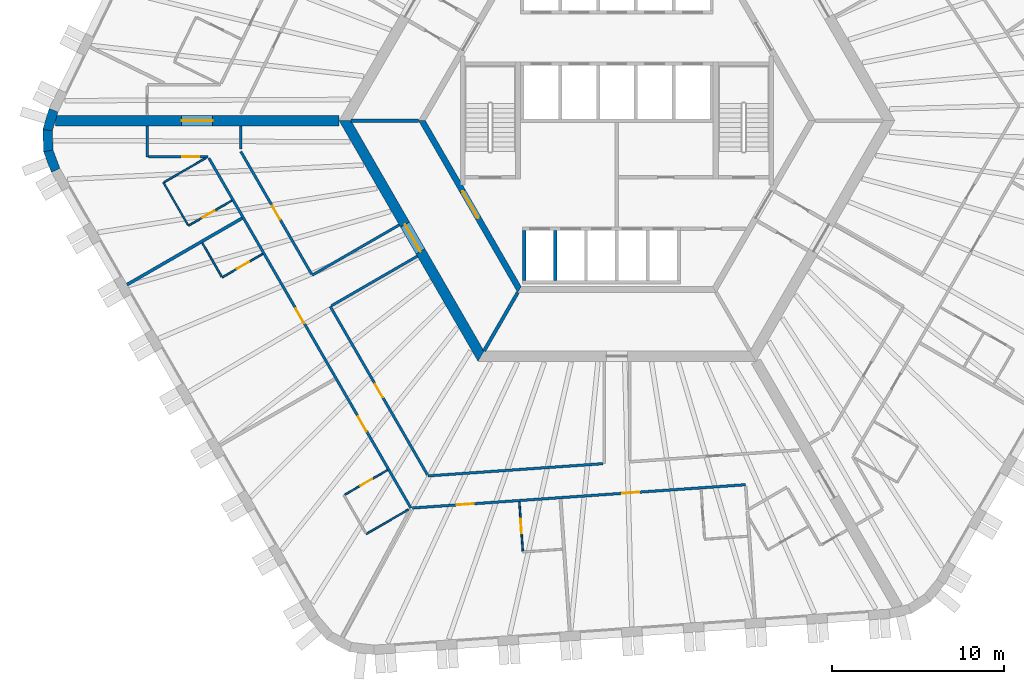
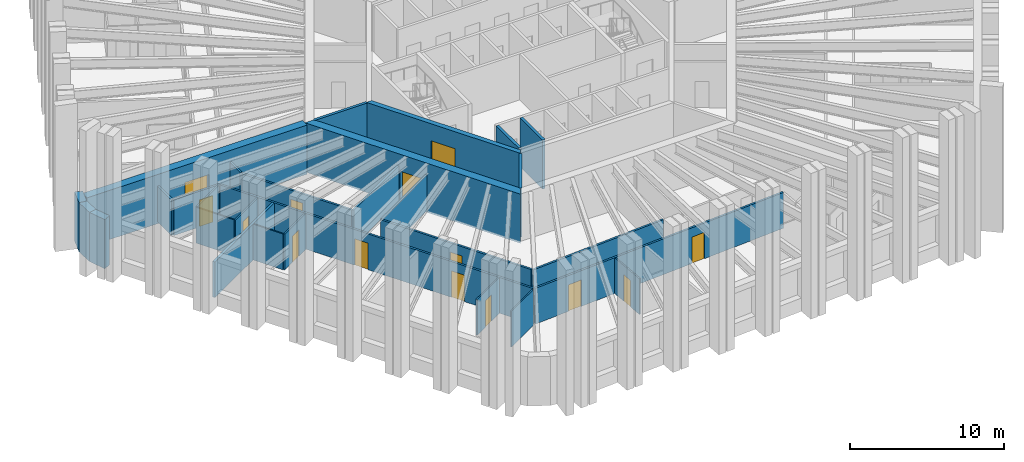
# One storey, part 3 of 13: 29 walls, 14 doors, 14 openings.
"""IFC4 building model written with IfcOpenShell, lengths in metres."""

import ifcopenshell
import ifcopenshell.guid

model = None  # the IFC model being written
_history = None  # IfcOwnerHistory: only IFC2X3 demands one
_inside = {}  # id of a spatial element -> (the spatial element, [elements in it])
_under = {}  # id of a project, library or spatial element -> (it, [spatial elements below it])
_declared = {}  # id of a project -> (the project, [libraries it declares])
_typed = {}  # id of a type object -> (the type object, [elements of that type])
_made_of = {}  # id of a material, layer set ... -> (it, [elements and type objects made of it])


def new_model(schema):
    """Start an empty IFC model of exactly this schema.

    Asked for "IFC4X3", IfcOpenShell would pick the latest addendum, in which some entities
    have other attributes; the version numbers below select the first issue.
    IFC2X3 requires an IfcOwnerHistory on every rooted entity: one is made here for all.
    """
    global model, _history
    if schema == "IFC4X3":
        model = ifcopenshell.file(schema_version=(4, 3, 0, 0))
    else:
        model = ifcopenshell.file(schema=schema)
    _inside.clear()
    _under.clear()
    _declared.clear()
    _typed.clear()
    _made_of.clear()
    _history = None
    if model.schema == "IFC2X3":
        org = make("IfcOrganization", Name="unknown")
        user = make(
            "IfcPersonAndOrganization",
            ThePerson=make("IfcPerson", FamilyName="unknown"),
            TheOrganization=org,
        )
        app = make(
            "IfcApplication",
            ApplicationDeveloper=org,
            Version="unknown",
            ApplicationFullName="unknown",
            ApplicationIdentifier="unknown",
        )
        _history = make(
            "IfcOwnerHistory",
            OwningUser=user,
            OwningApplication=app,
            ChangeAction="ADDED",
            CreationDate=0,
        )
    return model


def make(cls, **values):
    """One entity of the class cls with the attributes given. An attribute that is None is left unset."""
    return model.create_entity(
        cls, **{name: value for name, value in values.items() if value is not None}
    )


def rooted(cls, **values):
    """An entity with a GlobalId (a new one), such as an element, a storey or a relation."""
    return make(cls, GlobalId=ifcopenshell.guid.new(), OwnerHistory=_history, **values)


def si_unit(unit_type, name, prefix=None):
    """IfcSIUnit, for example si_unit("LENGTHUNIT", "METRE", prefix="MILLI")."""
    return make("IfcSIUnit", UnitType=unit_type, Prefix=prefix, Name=name)


def assignment(units):
    """IfcUnitAssignment: the units of a project."""
    return None if units is None else make("IfcUnitAssignment", Units=units)


def point(xyz):
    """IfcCartesianPoint."""
    return None if xyz is None else make("IfcCartesianPoint", Coordinates=xyz)


def direction(xyz):
    """IfcDirection."""
    return None if xyz is None else make("IfcDirection", DirectionRatios=xyz)


def frame(location, z_axis=None, x_axis=None):
    """IfcAxis2Placement3D, a coordinate frame: its origin and axes. An axis left out is left unset."""
    return make(
        "IfcAxis2Placement3D",
        Location=point(location),
        Axis=direction(z_axis),
        RefDirection=direction(x_axis),
    )


def frame_2d(location, x_axis=None):
    """IfcAxis2Placement2D, a coordinate frame in the plane: its origin and x axis."""
    return make(
        "IfcAxis2Placement2D", Location=point(location), RefDirection=direction(x_axis)
    )


def origin():
    """The frame at (0, 0, 0) with its axes left unset."""
    return frame((0.0, 0.0, 0.0))


def place(relative_to, where):
    """IfcLocalPlacement: puts the frame where relative to a parent placement (None: the world)."""
    return make(
        "IfcLocalPlacement", PlacementRelTo=relative_to, RelativePlacement=where
    )


def context(
    kind, dimensions, precision=None, world=None, true_north=None, identifier=None
):
    """IfcGeometricRepresentationContext, for example the 3D "Model" context."""
    return make(
        "IfcGeometricRepresentationContext",
        ContextIdentifier=identifier,
        ContextType=kind,
        CoordinateSpaceDimension=dimensions,
        Precision=precision,
        WorldCoordinateSystem=world,
        TrueNorth=true_north,
    )


def subcontext(parent, identifier, kind, view, scale=None):
    """IfcGeometricRepresentationSubContext, for example "Body" below "Model"."""
    return make(
        "IfcGeometricRepresentationSubContext",
        ContextIdentifier=identifier,
        ContextType=kind,
        ParentContext=parent,
        TargetScale=scale,
        TargetView=view,
    )


def project(units=None, contexts=None):
    """IfcProject with its units and contexts."""
    return rooted(
        "IfcProject",
        Name="project",
        RepresentationContexts=contexts,
        UnitsInContext=assignment(units),
    )


def spatial(cls, under=None, at=None, **own):
    """A site, building, storey or space (cls), placed at a placement, below another one or the project."""
    s = rooted(cls, ObjectPlacement=at, **own)
    if under is not None:
        _under.setdefault(under.id(), (under, []))[1].append(s)
    return s


def polyline(points):
    """IfcPolyline through the points."""
    return make("IfcPolyline", Points=[point(p) for p in points])


def profile(cls, at=None, kind="AREA", **sizes):
    """A parametric profile (cls). Its sizes go by their IFC names, for example OverallWidth=200.0."""
    return make(cls, ProfileType=kind, Position=at, **sizes)


def rectangle(**sizes):
    """IfcRectangleProfileDef."""
    return profile("IfcRectangleProfileDef", **sizes)


def outline(outer, holes=None, kind="AREA"):
    """IfcArbitraryClosedProfileDef: a profile drawn as a closed curve; with holes, ...WithVoids."""
    if holes is None:
        return make("IfcArbitraryClosedProfileDef", ProfileType=kind, OuterCurve=outer)
    return make(
        "IfcArbitraryProfileDefWithVoids",
        ProfileType=kind,
        OuterCurve=outer,
        InnerCurves=holes,
    )


def extrude(swept, where, along, depth):
    """IfcExtrudedAreaSolid: the profile swept, set in the frame where, extruded along a direction by depth."""
    return make(
        "IfcExtrudedAreaSolid",
        SweptArea=swept,
        Position=where,
        ExtrudedDirection=direction(along),
        Depth=depth,
    )


def shape(context_of_items, identifier, shape_type, items):
    """IfcShapeRepresentation: the items that make up one representation, for example the "Body"."""
    return make(
        "IfcShapeRepresentation",
        ContextOfItems=context_of_items,
        RepresentationIdentifier=identifier,
        RepresentationType=shape_type,
        Items=items,
    )


def material(Name=None, Category=None):
    """IfcMaterial."""
    return make("IfcMaterial", Name=Name, Category=Category)


def layer(
    of_material, thickness, ventilated=None, Name=None, Category=None, Priority=None
):
    """IfcMaterialLayer: one layer of a wall or slab, of a material (None: an air gap)."""
    return make(
        "IfcMaterialLayer",
        Material=of_material,
        LayerThickness=thickness,
        IsVentilated=ventilated,
        Name=Name,
        Category=Category,
        Priority=Priority,
    )


def layer_set(layers, Name=None):
    """IfcMaterialLayerSet."""
    return make("IfcMaterialLayerSet", MaterialLayers=layers, LayerSetName=Name)


def made_of(thing, what):
    """Note that an element or type object is made of a material, layer set ...; save() writes the relation."""
    if what is not None:
        _made_of.setdefault(what.id(), (what, []))[1].append(thing)
    return thing


def type_object(cls, material=None, **own):
    """A type object (cls), such as IfcWallType, which elements share."""
    return made_of(rooted(cls, **own), material)


def element(
    cls,
    number,
    at=None,
    inside=None,
    cuts=None,
    type_object=None,
    material=None,
    context=None,
    identifier="Body",
    shape_type=None,
    held_by="IfcProductDefinitionShape",
    body=None,
    shapes=None,
    **own,
):
    """One element of the class cls, such as IfcWall. Its Tag is "e" and its number.

    at: its placement. inside: the storey or other place that contains it. cuts: it is an
    opening in that element (IfcRelVoidsElement). A single representation is given by context,
    identifier, shape_type and body (its items); several are given by shapes. held_by: the class
    of the entity that holds the representations. save() writes the other relations.
    """
    e = rooted(cls, Tag="e%d" % number, ObjectPlacement=at, **own)
    if body is not None:
        shapes = [shape(context, identifier, shape_type, body)]
    if shapes is not None:
        e.Representation = make(held_by, Representations=shapes)
    if inside is not None:
        _inside.setdefault(inside.id(), (inside, []))[1].append(e)
    if cuts is not None:
        rooted(
            "IfcRelVoidsElement", RelatingBuildingElement=cuts, RelatedOpeningElement=e
        )
    if type_object is not None:
        _typed.setdefault(type_object.id(), (type_object, []))[1].append(e)
    return made_of(e, material)


def fill(opening, filler):
    """IfcRelFillsElement: the door or window that sits in an opening."""
    return rooted(
        "IfcRelFillsElement",
        RelatingOpeningElement=opening,
        RelatedBuildingElement=filler,
    )


def aggregate(whole, parts):
    """IfcRelAggregates: a whole, such as a stair, and the parts it consists of."""
    return rooted("IfcRelAggregates", RelatingObject=whole, RelatedObjects=parts)


def save(model, path):
    """Write the relations noted so far, then the file.

    IfcRelAggregates (storeys below a building ...), IfcRelContainedInSpatialStructure (elements
    in a storey), IfcRelDefinesByType, IfcRelAssociatesMaterial and IfcRelDeclares: one each for
    every whole, place, type object, material and project.
    """
    for whole, parts in _under.values():
        aggregate(whole, parts)
    for where, things in _inside.values():
        rooted(
            "IfcRelContainedInSpatialStructure",
            RelatedElements=things,
            RelatingStructure=where,
        )
    for kind, things in _typed.values():
        rooted("IfcRelDefinesByType", RelatedObjects=things, RelatingType=kind)
    for what, things in _made_of.values():
        rooted("IfcRelAssociatesMaterial", RelatedObjects=things, RelatingMaterial=what)
    for by, libraries in _declared.values():
        rooted("IfcRelDeclares", RelatingContext=by, RelatedDefinitions=libraries)
    model.write(path)


model = new_model("IFC4")

# Units and contexts
model_context = context("Model", 3, precision=1e-05, world=origin(), true_north=direction((0.0, 1.0)))
body_context = subcontext(model_context, "Body", "Model", "MODEL_VIEW")
ifc_project = project(units=[si_unit("LENGTHUNIT", "METRE"), si_unit("AREAUNIT", "SQUARE_METRE"), si_unit("VOLUMEUNIT", "CUBIC_METRE"), si_unit("PLANEANGLEUNIT", "RADIAN"), si_unit("MASSUNIT", "GRAM", prefix="KILO")], contexts=[model_context])

# Site, building, storey
site_placement = place(None, origin())
site = spatial("IfcSite", under=ifc_project, at=site_placement, CompositionType="ELEMENT")
building_placement = place(site_placement, origin())
building = spatial("IfcBuilding", under=site, at=building_placement, Name="Tarnside Tower", CompositionType="ELEMENT")
storey_placement = place(building_placement, frame((0.0, 0.0, 135.0)))
storey = spatial("IfcBuildingStorey", under=building, at=storey_placement, Name="L31", CompositionType="ELEMENT", Elevation=135.0)

# Wall, opening, door
ifc_material_1 = material(Name="Gypsum board partition on steel studs", Category="steel")
ifc_layer_1 = layer(ifc_material_1, 0.10009765625)
ifc_layer_set_1 = layer_set([ifc_layer_1], Name="Bathroom wall 100")
wall_type_1 = type_object("IfcWallType", Name="Bathroom wall 100", PredefinedType="PARTITIONING", material=ifc_layer_set_1)
wall_1_placement = place(storey_placement, frame((-22.40185546875, -4.64892578125, 0.0), z_axis=(0.0, 0.0, 1.0), x_axis=(-0.865989585315, -0.500062034277, 0.0)))
wall_1 = element("IfcWall", 1, at=wall_1_placement, inside=storey, type_object=wall_type_1, Name="Bathroom wall 10109", PredefinedType="PARTITIONING", context=body_context, shape_type="SweptSolid", body=[
    extrude(rectangle(XDim=2.925048828125, YDim=0.10009765625, at=frame_2d((1.46240234375, 0.0))), origin(), (0.0, 0.0, 1.0), 2.837890625),
])
opening_1_placement = place(wall_1_placement, frame((1.175048828125, 0.0, 0.0)))
opening_1 = element("IfcOpeningElement", 2, at=opening_1_placement, cuts=wall_1, Name="Opening D-B1", PredefinedType="OPENING", context=body_context, shape_type="SweptSolid", body=[
    extrude(rectangle(XDim=0.800048828125, YDim=2.10009765625, at=frame_2d((0.39990234375, 1.050048828125))), frame((0.0, 0.06005859375, 0.0), z_axis=(0.0, -1.0, 0.0), x_axis=(1.0, 0.0, 0.0)), (0.0, 0.0, 1.0), 0.1201171875),
])
ifc_material_2 = material(Name="Timber door leaf", Category="wood")
door_type_1 = type_object("IfcDoorType", Name="Bathroom door 800", OperationType="NOTDEFINED", PredefinedType="DOOR", material=ifc_material_2)
door_1_placement = place(opening_1_placement, origin())
door_1 = element("IfcDoor", 3, at=door_1_placement, inside=storey, type_object=door_type_1, Name="Bathroom door 10018", OperationType="SINGLE_SWING_LEFT", OverallHeight=2.10009765625, OverallWidth=0.800048828125, PredefinedType="DOOR", context=body_context, shape_type="SweptSolid", body=[
    extrude(rectangle(XDim=0.800048828125, YDim=2.10009765625, at=frame_2d((0.39990234375, 1.050048828125))), frame((0.0, 0.02490234375, 0.0), z_axis=(0.0, -1.0, 0.0), x_axis=(1.0, 0.0, 0.0)), (0.0, 0.0, 1.0), 0.050048828125),
])
fill(opening_1, door_1)

# Walls
wall_2_placement = place(storey_placement, frame((-24.9599609375, -6.068115234375, 0.0), z_axis=(0.0, 0.0, 1.0), x_axis=(-0.500036373335, 0.866004402611, 0.0)))
element("IfcWall", 4, at=wall_2_placement, inside=storey, type_object=wall_type_1, Name="Bathroom wall 10110", PredefinedType="PARTITIONING", context=body_context, shape_type="SweptSolid", body=[
    extrude(rectangle(XDim=2.849853515625, YDim=0.10009765625, at=frame_2d((1.4248046875, 0.0))), origin(), (0.0, 0.0, 1.0), 2.837890625),
])
wall_3_placement = place(storey_placement, frame((-26.341552734375, -3.574951171875, 0.0), z_axis=(0.0, 0.0, 1.0), x_axis=(0.866034573852, 0.49998411664, 0.0)))
element("IfcWall", 5, at=wall_3_placement, inside=storey, type_object=wall_type_1, Name="Bathroom wall 10111", PredefinedType="PARTITIONING", context=body_context, shape_type="SweptSolid", body=[
    extrude(rectangle(XDim=2.7998046875, YDim=0.10009765625, at=frame_2d((1.39990234375, 0.0))), origin(), (0.0, 0.0, 1.0), 2.837890625),
])

# Wall, opening, door
wall_4_placement = place(storey_placement, frame((-20.60888671875, -7.75439453125, 0.0), z_axis=(0.0, 0.0, 1.0), x_axis=(-0.866012511928, -0.500022328685, 0.0)))
wall_4 = element("IfcWall", 6, at=wall_4_placement, inside=storey, type_object=wall_type_1, Name="Bathroom wall 10114", PredefinedType="PARTITIONING", context=body_context, shape_type="SweptSolid", body=[
    extrude(rectangle(XDim=2.72509765625, YDim=0.10009765625, at=frame_2d((1.362548828125, 0.0))), origin(), (0.0, 0.0, 1.0), 2.837890625),
])
opening_2_placement = place(wall_4_placement, frame((0.925048828125, 0.0, 0.0)))
opening_2 = element("IfcOpeningElement", 7, at=opening_2_placement, cuts=wall_4, Name="Opening D-B1", PredefinedType="OPENING", context=body_context, shape_type="SweptSolid", body=[
    extrude(rectangle(XDim=0.800048828125, YDim=2.10009765625, at=frame_2d((0.39990234375, 1.050048828125))), frame((0.0, 0.06005859375, 0.0), z_axis=(0.0, -1.0, 0.0), x_axis=(1.0, 0.0, 0.0)), (0.0, 0.0, 1.0), 0.1201171875),
])
door_2_placement = place(opening_2_placement, origin())
door_2 = element("IfcDoor", 8, at=door_2_placement, inside=storey, type_object=door_type_1, Name="Bathroom door 10020", OperationType="SINGLE_SWING_RIGHT", OverallHeight=2.10009765625, OverallWidth=0.800048828125, PredefinedType="DOOR", context=body_context, shape_type="SweptSolid", body=[
    extrude(rectangle(XDim=0.800048828125, YDim=2.10009765625, at=frame_2d((0.39990234375, 1.050048828125))), frame((0.0, 0.02490234375, 0.0), z_axis=(0.0, -1.0, 0.0), x_axis=(1.0, 0.0, 0.0)), (0.0, 0.0, 1.0), 0.050048828125),
])
fill(opening_2, door_2)

# Walls
wall_5_placement = place(storey_placement, frame((-22.993896484375, -9.073486328125, 0.0), z_axis=(0.0, 0.0, 1.0), x_axis=(-0.4999967785, 0.866027263711, 0.0)))
element("IfcWall", 9, at=wall_5_placement, inside=storey, type_object=wall_type_1, Name="Bathroom wall 10115", PredefinedType="PARTITIONING", context=body_context, shape_type="SweptSolid", body=[
    extrude(rectangle(XDim=2.259765625, YDim=0.10009765625, at=frame_2d((1.1298828125, 0.0))), origin(), (0.0, 0.0, 1.0), 2.837890625),
])
wall_6_placement = place(storey_placement, frame((-12.13330078125, -22.62646484375, 0.0), z_axis=(0.0, 0.0, 1.0), x_axis=(-0.866014564827, -0.500018773155, 0.0)))
element("IfcWall", 10, at=wall_6_placement, inside=storey, type_object=wall_type_1, Name="Bathroom wall 10117", PredefinedType="PARTITIONING", context=body_context, shape_type="SweptSolid", body=[
    extrude(rectangle(XDim=2.8291015625, YDim=0.10009765625, at=frame_2d((1.41455078125, 0.0))), origin(), (0.0, 0.0, 1.0), 2.837890625),
])

# Wall, opening, door
wall_7_placement = place(storey_placement, frame((-15.840087890625, -21.764404296875, 0.0), z_axis=(0.0, 0.0, 1.0), x_axis=(0.866039941686, 0.499974818771, 0.0)))
wall_7 = element("IfcWall", 11, at=wall_7_placement, inside=storey, type_object=wall_type_1, Name="Bathroom wall 10119", PredefinedType="PARTITIONING", context=body_context, shape_type="SweptSolid", body=[
    extrude(rectangle(XDim=2.875244140625, YDim=0.10009765625, at=frame_2d((1.4375, 0.0))), origin(), (0.0, 0.0, 1.0), 2.837890625),
])
opening_3_placement = place(wall_7_placement, frame((1.050048828125, 0.0, 0.0)))
opening_3 = element("IfcOpeningElement", 12, at=opening_3_placement, cuts=wall_7, Name="Opening D-B1", PredefinedType="OPENING", context=body_context, shape_type="SweptSolid", body=[
    extrude(rectangle(XDim=0.800048828125, YDim=2.10009765625, at=frame_2d((0.39990234375, 1.050048828125))), frame((0.0, 0.06005859375, 0.0), z_axis=(0.0, -1.0, 0.0), x_axis=(1.0, 0.0, 0.0)), (0.0, 0.0, 1.0), 0.1201171875),
])
door_3_placement = place(opening_3_placement, origin())
door_3 = element("IfcDoor", 13, at=door_3_placement, inside=storey, type_object=door_type_1, Name="Bathroom door 10022", OperationType="SINGLE_SWING_LEFT", OverallHeight=2.10009765625, OverallWidth=0.800048828125, PredefinedType="DOOR", context=body_context, shape_type="SweptSolid", body=[
    extrude(rectangle(XDim=0.800048828125, YDim=2.10009765625, at=frame_2d((0.39990234375, 1.050048828125))), frame((0.0, 0.02490234375, 0.0), z_axis=(0.0, -1.0, 0.0), x_axis=(1.0, 0.0, 0.0)), (0.0, 0.0, 1.0), 0.050048828125),
])
fill(opening_3, door_3)

wall_8_placement = place(storey_placement, frame((-5.4775390625, -25.043212890625, 0.0), z_axis=(0.0, 0.0, 1.0), x_axis=(-0.069714207611, 0.997567004896, 0.0)))
wall_8 = element("IfcWall", 14, at=wall_8_placement, inside=storey, type_object=wall_type_1, Name="Bathroom wall 10122", PredefinedType="PARTITIONING", context=body_context, shape_type="SweptSolid", body=[
    extrude(rectangle(XDim=2.875244140625, YDim=0.10009765625, at=frame_2d((1.4375, 0.0))), origin(), (0.0, 0.0, 1.0), 2.837890625),
])
opening_4_placement = place(wall_8_placement, frame((1.050048828125, 0.0, 0.0)))
opening_4 = element("IfcOpeningElement", 15, at=opening_4_placement, cuts=wall_8, Name="Opening D-B1", PredefinedType="OPENING", context=body_context, shape_type="SweptSolid", body=[
    extrude(rectangle(XDim=0.800048828125, YDim=2.10009765625, at=frame_2d((0.39990234375, 1.050048828125))), frame((0.0, 0.06005859375, 0.0), z_axis=(0.0, -1.0, 0.0), x_axis=(1.0, 0.0, 0.0)), (0.0, 0.0, 1.0), 0.1201171875),
])
door_4_placement = place(opening_4_placement, origin())
door_4 = element("IfcDoor", 16, at=door_4_placement, inside=storey, type_object=door_type_1, Name="Bathroom door 10024", OperationType="SINGLE_SWING_LEFT", OverallHeight=2.10009765625, OverallWidth=0.800048828125, PredefinedType="DOOR", context=body_context, shape_type="SweptSolid", body=[
    extrude(rectangle(XDim=0.800048828125, YDim=2.10009765625, at=frame_2d((0.39990234375, 1.050048828125))), frame((0.0, 0.02490234375, 0.0), z_axis=(0.0, -1.0, 0.0), x_axis=(1.0, 0.0, 0.0)), (0.0, 0.0, 1.0), 0.050048828125),
])
fill(opening_4, door_4)

ifc_material_3 = material(Name="Concrete C50/60", Category="concrete")
ifc_layer_2 = layer(ifc_material_3, 0.35009765625)
ifc_layer_set_2 = layer_set([ifc_layer_2], Name="Core block wall 350 C50/60")
wall_type_2 = type_object("IfcWallType", Name="Core block wall 350 C50/60", PredefinedType="SHEAR", material=ifc_layer_set_2)
wall_9_placement = place(storey_placement, frame((-11.344970703125, 0.0, -0.14990234375), z_axis=(0.0, 0.0, 1.0), x_axis=(0.499995046907, -0.866028263435, 0.0)))
wall_9 = element("IfcWall", 17, at=wall_9_placement, inside=storey, type_object=wall_type_2, Name="L31 core block wall face 3", PredefinedType="SHEAR", context=body_context, shape_type="SweptSolid", body=[
    extrude(outline(polyline([(-0.10107421875, -0.175048828125), (11.44580078125, -0.175048828125), (11.24365234375, 0.175048828125), (0.10107421875, 0.175048828125), (-0.10107421875, -0.175048828125)])), origin(), (0.0, 0.0, 1.0), 3.89990234375),
])
opening_5_placement = place(wall_9_placement, frame((4.74365234375, 0.0, 0.14990234375)))
opening_5 = element("IfcOpeningElement", 18, at=opening_5_placement, cuts=wall_9, Name="Opening CD-FFL", PredefinedType="OPENING", context=body_context, shape_type="SweptSolid", body=[
    extrude(rectangle(XDim=1.800048828125, YDim=2.39990234375, at=frame_2d((0.89990234375, 1.199951171875))), frame((0.0, 0.18505859375, 0.0), z_axis=(0.0, -1.0, 0.0), x_axis=(1.0, 0.0, 0.0)), (0.0, 0.0, 1.0), 0.3701171875),
])
ifc_material_4 = material(Name="Steel fire door", Category="steel")
door_type_2 = type_object("IfcDoorType", Name="Firefighting lobby double door FD60S 1800x2400", OperationType="NOTDEFINED", PredefinedType="DOOR", material=ifc_material_4)
door_5_placement = place(opening_5_placement, origin())
door_5 = element("IfcDoor", 19, at=door_5_placement, inside=storey, type_object=door_type_2, Name="L31 lobby block door P3", OperationType="DOUBLE_DOOR_SINGLE_SWING", OverallHeight=2.39990234375, OverallWidth=1.800048828125, PredefinedType="DOOR", context=body_context, shape_type="SweptSolid", body=[
    extrude(rectangle(XDim=1.800048828125, YDim=2.39990234375, at=frame_2d((0.89990234375, 1.199951171875))), frame((0.0, 0.02490234375, 0.0), z_axis=(0.0, -1.0, 0.0), x_axis=(1.0, 0.0, 0.0)), (0.0, 0.0, 1.0), 0.050048828125),
])
fill(opening_5, door_5)

ifc_material_5 = material(Name="Concrete C80/95", Category="concrete")
ifc_layer_3 = layer(ifc_material_5, 0.60009765625)
ifc_layer_set_3 = layer_set([ifc_layer_3], Name="Core wall Z1 600 C80/95")
wall_type_3 = type_object("IfcWallType", Name="Core wall Z1 600 C80/95", PredefinedType="SHEAR", material=ifc_layer_set_3)
wall_10_placement = place(storey_placement, frame((-15.8193359375, 0.0, -0.14990234375), z_axis=(0.0, 0.0, 1.0), x_axis=(0.499999880136, -0.866025472988, 0.0)))
wall_10 = element("IfcWall", 20, at=wall_10_placement, inside=storey, type_object=wall_type_3, Name="L31 core wall face 3", PredefinedType="SHEAR", context=body_context, shape_type="SweptSolid", body=[
    extrude(outline(polyline([(-0.17333984375, -0.300048828125), (15.99267578125, -0.300048828125), (15.64599609375, 0.300048828125), (0.17333984375, 0.300048828125), (-0.17333984375, -0.300048828125)])), origin(), (0.0, 0.0, 1.0), 3.89990234375),
])
opening_6_placement = place(wall_10_placement, frame((6.980712890625, 0.0, 0.14990234375)))
opening_6 = element("IfcOpeningElement", 21, at=opening_6_placement, cuts=wall_10, Name="Opening CD-FFL", PredefinedType="OPENING", context=body_context, shape_type="SweptSolid", body=[
    extrude(rectangle(XDim=1.800048828125, YDim=2.39990234375, at=frame_2d((0.89990234375, 1.199951171875))), frame((0.0, 0.31005859375, 0.0), z_axis=(0.0, -1.0, 0.0), x_axis=(1.0, 0.0, 0.0)), (0.0, 0.0, 1.0), 0.6201171875),
])
door_6_placement = place(opening_6_placement, origin())
door_6 = element("IfcDoor", 22, at=door_6_placement, inside=storey, type_object=door_type_2, Name="L31 core door P3", OperationType="DOUBLE_DOOR_SINGLE_SWING", OverallHeight=2.39990234375, OverallWidth=1.800048828125, PredefinedType="DOOR", context=body_context, shape_type="SweptSolid", body=[
    extrude(rectangle(XDim=1.800048828125, YDim=2.39990234375, at=frame_2d((0.89990234375, 1.199951171875))), frame((0.0, 0.02490234375, 0.0), z_axis=(0.0, -1.0, 0.0), x_axis=(1.0, 0.0, 0.0)), (0.0, 0.0, 1.0), 0.050048828125),
])
fill(opening_6, door_6)

wall_11_placement = place(storey_placement, frame((-16.165771484375, 0.0, -0.14990234375), z_axis=(0.0, 0.0, 1.0), x_axis=(-1.0, 0.0, 0.0)))
wall_11 = element("IfcWall", 23, at=wall_11_placement, inside=storey, type_object=wall_type_3, Name="L31 spine wall 2", PredefinedType="SHEAR", context=body_context, shape_type="SweptSolid", body=[
    extrude(rectangle(XDim=16.509033203125, YDim=0.60009765625, at=frame_2d((8.25439453125, 0.0))), origin(), (0.0, 0.0, 1.0), 3.89990234375),
])
opening_7_placement = place(wall_11_placement, frame((7.3544921875, 0.0, 0.14990234375)))
opening_7 = element("IfcOpeningElement", 24, at=opening_7_placement, cuts=wall_11, Name="Opening CD-SPN", PredefinedType="OPENING", context=body_context, shape_type="SweptSolid", body=[
    extrude(rectangle(XDim=1.800048828125, YDim=2.39990234375, at=frame_2d((0.89990234375, 1.199951171875))), frame((0.0, 0.31005859375, 0.0), z_axis=(0.0, -1.0, 0.0), x_axis=(1.0, 0.0, 0.0)), (0.0, 0.0, 1.0), 0.6201171875),
])
door_type_3 = type_object("IfcDoorType", Name="Spine passage double door FD60 1800x2400", OperationType="NOTDEFINED", PredefinedType="DOOR", material=ifc_material_4)
door_7_placement = place(opening_7_placement, origin())
door_7 = element("IfcDoor", 25, at=door_7_placement, inside=storey, type_object=door_type_3, Name="L31 spine passage door 2", OperationType="DOUBLE_DOOR_SINGLE_SWING", OverallHeight=2.39990234375, OverallWidth=1.800048828125, PredefinedType="DOOR", context=body_context, shape_type="SweptSolid", body=[
    extrude(rectangle(XDim=1.800048828125, YDim=2.39990234375, at=frame_2d((0.89990234375, 1.199951171875))), frame((0.0, 0.02490234375, 0.0), z_axis=(0.0, -1.0, 0.0), x_axis=(1.0, 0.0, 0.0)), (0.0, 0.0, 1.0), 0.050048828125),
])
fill(opening_7, door_7)

# Wall
ifc_layer_4 = layer(ifc_material_1, 0.14990234375)
ifc_layer_set_4 = layer_set([ifc_layer_4], Name="Corridor wall 150 EI 60")
wall_type_4 = type_object("IfcWallType", Name="Corridor wall 150 EI 60", PredefinedType="PARTITIONING", material=ifc_layer_set_4)
wall_12_placement = place(storey_placement, frame((-27.3203125, -0.300048828125, 0.0), z_axis=(0.0, 0.0, 1.0), x_axis=(0.0, -1.0, 0.0)))
element("IfcWall", 26, at=wall_12_placement, inside=storey, type_object=wall_type_4, Name="Corridor wall 10025", PredefinedType="PARTITIONING", context=body_context, shape_type="SweptSolid", body=[
    extrude(rectangle(XDim=1.800048828125, YDim=0.14990234375, at=frame_2d((0.89990234375, 0.0))), origin(), (0.0, 0.0, 1.0), 2.837890625),
])

# Wall, opening, door
wall_13_placement = place(storey_placement, frame((-27.245361328125, -2.10009765625, 0.0), z_axis=(0.0, 0.0, 1.0), x_axis=(1.0, 0.0, 0.0)))
wall_13 = element("IfcWall", 27, at=wall_13_placement, inside=storey, type_object=wall_type_4, Name="Corridor wall 10026", PredefinedType="PARTITIONING", context=body_context, shape_type="SweptSolid", body=[
    extrude(rectangle(XDim=3.45849609375, YDim=0.14990234375, at=frame_2d((1.729248046875, 0.0))), origin(), (0.0, 0.0, 1.0), 2.837890625),
])
opening_8_placement = place(wall_13_placement, frame((1.95849609375, 0.0, 0.0)))
opening_8 = element("IfcOpeningElement", 28, at=opening_8_placement, cuts=wall_13, Name="Opening D-E1", PredefinedType="OPENING", context=body_context, shape_type="SweptSolid", body=[
    extrude(rectangle(XDim=1.0, YDim=2.10009765625, at=frame_2d((0.5, 1.050048828125))), frame((0.0, 0.0849609375, 0.0), z_axis=(0.0, -1.0, 0.0), x_axis=(1.0, 0.0, 0.0)), (0.0, 0.0, 1.0), 0.169921875),
])
door_type_4 = type_object("IfcDoorType", Name="Unit entrance door 1000 FD30S", OperationType="NOTDEFINED", PredefinedType="DOOR", material=ifc_material_2)
door_8_placement = place(opening_8_placement, origin())
door_8 = element("IfcDoor", 29, at=door_8_placement, inside=storey, type_object=door_type_4, Name="Unit door 10017", OperationType="SINGLE_SWING_LEFT", OverallHeight=2.10009765625, OverallWidth=1.0, PredefinedType="DOOR", context=body_context, shape_type="SweptSolid", body=[
    extrude(rectangle(XDim=1.0, YDim=2.10009765625, at=frame_2d((0.5, 1.050048828125))), frame((0.0, 0.02490234375, 0.0), z_axis=(0.0, -1.0, 0.0), x_axis=(1.0, 0.0, 0.0)), (0.0, 0.0, 1.0), 0.050048828125),
])
fill(opening_8, door_8)

# Wall, openings, doors
wall_14_placement = place(storey_placement, frame((-23.743408203125, -2.175048828125, 0.0), z_axis=(0.0, 0.0, 1.0), x_axis=(0.499992353047, -0.86602981871, 0.0)))
wall_14 = element("IfcWall", 30, at=wall_14_placement, inside=storey, type_object=wall_type_4, Name="Corridor wall 10027", PredefinedType="PARTITIONING", context=body_context, shape_type="SweptSolid", body=[
    extrude(rectangle(XDim=23.516357421875, YDim=0.14990234375, at=frame_2d((11.75830078125, 0.0))), origin(), (0.0, 0.0, 1.0), 2.837890625),
])
opening_9_placement = place(wall_14_placement, frame((10.09912109375, 0.0, 0.0)))
opening_9 = element("IfcOpeningElement", 31, at=opening_9_placement, cuts=wall_14, Name="Opening D-E1", PredefinedType="OPENING", context=body_context, shape_type="SweptSolid", body=[
    extrude(rectangle(XDim=1.0, YDim=2.10009765625, at=frame_2d((0.5, 1.050048828125))), frame((0.0, 0.0849609375, 0.0), z_axis=(0.0, -1.0, 0.0), x_axis=(1.0, 0.0, 0.0)), (0.0, 0.0, 1.0), 0.169921875),
])
opening_10_placement = place(wall_14_placement, frame((17.35791015625, 0.0, 0.0)))
opening_10 = element("IfcOpeningElement", 32, at=opening_10_placement, cuts=wall_14, Name="Opening D-E1", PredefinedType="OPENING", context=body_context, shape_type="SweptSolid", body=[
    extrude(rectangle(XDim=1.0, YDim=2.10009765625, at=frame_2d((0.5, 1.050048828125))), frame((0.0, 0.0849609375, 0.0), z_axis=(0.0, -1.0, 0.0), x_axis=(1.0, 0.0, 0.0)), (0.0, 0.0, 1.0), 0.169921875),
])
door_9_placement = place(opening_9_placement, origin())
door_9 = element("IfcDoor", 33, at=door_9_placement, inside=storey, type_object=door_type_4, Name="Unit door 10019", OperationType="SINGLE_SWING_LEFT", OverallHeight=2.10009765625, OverallWidth=1.0, PredefinedType="DOOR", context=body_context, shape_type="SweptSolid", body=[
    extrude(rectangle(XDim=1.0, YDim=2.10009765625, at=frame_2d((0.5, 1.050048828125))), frame((0.0, 0.02490234375, 0.0), z_axis=(0.0, -1.0, 0.0), x_axis=(1.0, 0.0, 0.0)), (0.0, 0.0, 1.0), 0.050048828125),
])
fill(opening_9, door_9)
door_10_placement = place(opening_10_placement, origin())
door_10 = element("IfcDoor", 34, at=door_10_placement, inside=storey, type_object=door_type_4, Name="Unit door 10021", OperationType="SINGLE_SWING_RIGHT", OverallHeight=2.10009765625, OverallWidth=1.0, PredefinedType="DOOR", context=body_context, shape_type="SweptSolid", body=[
    extrude(rectangle(XDim=1.0, YDim=2.10009765625, at=frame_2d((0.5, 1.050048828125))), frame((0.0, 0.02490234375, 0.0), z_axis=(0.0, -1.0, 0.0), x_axis=(1.0, 0.0, 0.0)), (0.0, 0.0, 1.0), 0.050048828125),
])
fill(opening_10, door_10)

wall_15_placement = place(storey_placement, frame((-11.902099609375, -22.53515625, 0.0), z_axis=(0.0, 0.0, 1.0), x_axis=(0.997563830208, 0.069759620556, 0.0)))
wall_15 = element("IfcWall", 35, at=wall_15_placement, inside=storey, type_object=wall_type_4, Name="Corridor wall 10033", PredefinedType="PARTITIONING", context=body_context, shape_type="SweptSolid", body=[
    extrude(rectangle(XDim=19.43408203125, YDim=0.14990234375, at=frame_2d((9.717041015625, 0.0))), origin(), (0.0, 0.0, 1.0), 2.837890625),
])
opening_11_placement = place(wall_15_placement, frame((2.5751953125, 0.0, 0.0)))
opening_11 = element("IfcOpeningElement", 36, at=opening_11_placement, cuts=wall_15, Name="Opening D-E1", PredefinedType="OPENING", context=body_context, shape_type="SweptSolid", body=[
    extrude(rectangle(XDim=1.0, YDim=2.10009765625, at=frame_2d((0.5, 1.050048828125))), frame((0.0, 0.0849609375, 0.0), z_axis=(0.0, -1.0, 0.0), x_axis=(1.0, 0.0, 0.0)), (0.0, 0.0, 1.0), 0.169921875),
])
opening_12_placement = place(wall_15_placement, frame((12.23388671875, 0.0, 0.0)))
opening_12 = element("IfcOpeningElement", 37, at=opening_12_placement, cuts=wall_15, Name="Opening D-E1", PredefinedType="OPENING", context=body_context, shape_type="SweptSolid", body=[
    extrude(rectangle(XDim=1.0, YDim=2.10009765625, at=frame_2d((0.5, 1.050048828125))), frame((0.0, 0.0849609375, 0.0), z_axis=(0.0, -1.0, 0.0), x_axis=(1.0, 0.0, 0.0)), (0.0, 0.0, 1.0), 0.169921875),
])
door_11_placement = place(opening_11_placement, origin())
door_11 = element("IfcDoor", 38, at=door_11_placement, inside=storey, type_object=door_type_4, Name="Unit door 10023", OperationType="SINGLE_SWING_RIGHT", OverallHeight=2.10009765625, OverallWidth=1.0, PredefinedType="DOOR", context=body_context, shape_type="SweptSolid", body=[
    extrude(rectangle(XDim=1.0, YDim=2.10009765625, at=frame_2d((0.5, 1.050048828125))), frame((0.0, 0.02490234375, 0.0), z_axis=(0.0, -1.0, 0.0), x_axis=(1.0, 0.0, 0.0)), (0.0, 0.0, 1.0), 0.050048828125),
])
fill(opening_11, door_11)
door_12_placement = place(opening_12_placement, origin())
door_12 = element("IfcDoor", 39, at=door_12_placement, inside=storey, type_object=door_type_4, Name="Unit door 10025", OperationType="SINGLE_SWING_LEFT", OverallHeight=2.10009765625, OverallWidth=1.0, PredefinedType="DOOR", context=body_context, shape_type="SweptSolid", body=[
    extrude(rectangle(XDim=1.0, YDim=2.10009765625, at=frame_2d((0.5, 1.050048828125))), frame((0.0, 0.02490234375, 0.0), z_axis=(0.0, -1.0, 0.0), x_axis=(1.0, 0.0, 0.0)), (0.0, 0.0, 1.0), 0.050048828125),
])
fill(opening_12, door_12)

# Wall
wall_16_placement = place(storey_placement, frame((-12.663818359375, -6.065673828125, 0.0), z_axis=(0.0, 0.0, 1.0), x_axis=(-0.866018092707, -0.500012662943, 0.0)))
element("IfcWall", 40, at=wall_16_placement, inside=storey, type_object=wall_type_4, Name="Corridor wall 10042", PredefinedType="PARTITIONING", context=body_context, shape_type="SweptSolid", body=[
    extrude(rectangle(XDim=5.849853515625, YDim=0.14990234375, at=frame_2d((2.9248046875, 0.0))), origin(), (0.0, 0.0, 1.0), 2.837890625),
])

# Wall, opening, door
wall_17_placement = place(storey_placement, frame((-17.767578125, -8.92578125, 0.0), z_axis=(0.0, 0.0, 1.0), x_axis=(-0.499997033681, 0.866027116383, 0.0)))
wall_17 = element("IfcWall", 41, at=wall_17_placement, inside=storey, type_object=wall_type_4, Name="Corridor wall 10043", PredefinedType="PARTITIONING", context=body_context, shape_type="SweptSolid", body=[
    extrude(rectangle(XDim=8.2353515625, YDim=0.14990234375, at=frame_2d((4.11767578125, 0.0))), origin(), (0.0, 0.0, 1.0), 2.837890625),
])
opening_13_placement = place(wall_17_placement, frame((3.667724609375, 0.0, 0.0)))
opening_13 = element("IfcOpeningElement", 42, at=opening_13_placement, cuts=wall_17, Name="Opening D-S1", PredefinedType="OPENING", context=body_context, shape_type="SweptSolid", body=[
    extrude(rectangle(XDim=0.89990234375, YDim=2.10009765625, at=frame_2d((0.449951171875, 1.050048828125))), frame((0.0, 0.0849609375, 0.0), z_axis=(0.0, -1.0, 0.0), x_axis=(1.0, 0.0, 0.0)), (0.0, 0.0, 1.0), 0.169921875),
])
door_type_5 = type_object("IfcDoorType", Name="Service room door 900 FD30S", OperationType="NOTDEFINED", PredefinedType="DOOR", material=ifc_material_2)
door_13_placement = place(opening_13_placement, origin())
door_13 = element("IfcDoor", 43, at=door_13_placement, inside=storey, type_object=door_type_5, Name="Service door 10045", OperationType="SINGLE_SWING_RIGHT", OverallHeight=2.10009765625, OverallWidth=0.89990234375, PredefinedType="DOOR", context=body_context, shape_type="SweptSolid", body=[
    extrude(rectangle(XDim=0.89990234375, YDim=2.10009765625, at=frame_2d((0.449951171875, 1.050048828125))), frame((0.0, 0.02490234375, 0.0), z_axis=(0.0, -1.0, 0.0), x_axis=(1.0, 0.0, 0.0)), (0.0, 0.0, 1.0), 0.050048828125),
])
fill(opening_13, door_13)

# Walls
wall_18_placement = place(storey_placement, frame((-21.88525390625, -1.643798828125, 0.0), z_axis=(0.0, 0.0, 1.0), x_axis=(0.0, 1.0, 0.0)))
element("IfcWall", 44, at=wall_18_placement, inside=storey, type_object=wall_type_4, Name="Corridor wall 10044", PredefinedType="PARTITIONING", context=body_context, shape_type="SweptSolid", body=[
    extrude(rectangle(XDim=1.34375, YDim=0.14990234375, at=frame_2d((0.671875, 0.0))), origin(), (0.0, 0.0, 1.0), 2.837890625),
])
wall_19_placement = place(storey_placement, frame((-0.824951171875, -19.9560546875, 0.0), z_axis=(0.0, 0.0, 1.0), x_axis=(-0.997562587881, -0.069777383582, 0.0)))
element("IfcWall", 45, at=wall_19_placement, inside=storey, type_object=wall_type_4, Name="Corridor wall 10046", PredefinedType="PARTITIONING", context=body_context, shape_type="SweptSolid", body=[
    extrude(rectangle(XDim=10.188720703125, YDim=0.14990234375, at=frame_2d((5.09423828125, 0.0))), origin(), (0.0, 0.0, 1.0), 2.837890625),
])

# Wall, opening, door
wall_20_placement = place(storey_placement, frame((-11.030517578125, -20.5947265625, 0.0), z_axis=(0.0, 0.0, 1.0), x_axis=(-0.499987422378, 0.866032665356, 0.0)))
wall_20 = element("IfcWall", 46, at=wall_20_placement, inside=storey, type_object=wall_type_4, Name="Corridor wall 10047", PredefinedType="PARTITIONING", context=body_context, shape_type="SweptSolid", body=[
    extrude(rectangle(XDim=11.299072265625, YDim=0.14990234375, at=frame_2d((5.6494140625, 0.0))), origin(), (0.0, 0.0, 1.0), 2.837890625),
])
opening_14_placement = place(wall_20_placement, frame((5.199462890625, 0.0, 0.0)))
opening_14 = element("IfcOpeningElement", 47, at=opening_14_placement, cuts=wall_20, Name="Opening D-S1", PredefinedType="OPENING", context=body_context, shape_type="SweptSolid", body=[
    extrude(rectangle(XDim=0.89990234375, YDim=2.10009765625, at=frame_2d((0.449951171875, 1.050048828125))), frame((0.0, 0.0849609375, 0.0), z_axis=(0.0, -1.0, 0.0), x_axis=(1.0, 0.0, 0.0)), (0.0, 0.0, 1.0), 0.169921875),
])
door_14_placement = place(opening_14_placement, origin())
door_14 = element("IfcDoor", 48, at=door_14_placement, inside=storey, type_object=door_type_5, Name="Service door 10046", OperationType="SINGLE_SWING_RIGHT", OverallHeight=2.10009765625, OverallWidth=0.89990234375, PredefinedType="DOOR", context=body_context, shape_type="SweptSolid", body=[
    extrude(rectangle(XDim=0.89990234375, YDim=2.10009765625, at=frame_2d((0.449951171875, 1.050048828125))), frame((0.0, 0.02490234375, 0.0), z_axis=(0.0, -1.0, 0.0), x_axis=(1.0, 0.0, 0.0)), (0.0, 0.0, 1.0), 0.050048828125),
])
fill(opening_14, door_14)

# Walls
wall_21_placement = place(storey_placement, frame((-16.614990234375, -10.771728515625, 0.0), z_axis=(0.0, 0.0, 1.0), x_axis=(0.866025774745, 0.499999357477, 0.0)))
element("IfcWall", 49, at=wall_21_placement, inside=storey, type_object=wall_type_4, Name="Corridor wall 10048", PredefinedType="PARTITIONING", context=body_context, shape_type="SweptSolid", body=[
    extrude(rectangle(XDim=5.77490234375, YDim=0.14990234375, at=frame_2d((2.887451171875, 0.0))), origin(), (0.0, 0.0, 1.0), 2.837890625),
])
ifc_layer_5 = layer(ifc_material_1, 0.179931640625)
ifc_layer_set_5 = layer_set([ifc_layer_5], Name="Demising wall 180 EI 60")
wall_type_5 = type_object("IfcWallType", Name="Demising wall 180 EI 60", PredefinedType="PARTITIONING", material=ifc_layer_set_5)
wall_22_placement = place(storey_placement, frame((-28.4990234375, -9.538330078125, 0.0), z_axis=(0.0, 0.0, 1.0), x_axis=(0.866040859435, 0.499973229072, 0.0)))
element("IfcWall", 50, at=wall_22_placement, inside=storey, type_object=wall_type_5, Name="Demising wall 10112", PredefinedType="PARTITIONING", context=body_context, shape_type="SweptSolid", body=[
    extrude(rectangle(XDim=7.72509765625, YDim=0.179931640625, at=frame_2d((3.862548828125, 0.0))), origin(), (0.0, 0.0, 1.0), 2.837890625),
])
ifc_material_6 = material(Name="Concrete C40/50", Category="concrete")
ifc_layer_6 = layer(ifc_material_6, 0.199951171875)
ifc_layer_set_6 = layer_set([ifc_layer_6], Name="Lift shaft wall 200 C40/50")
wall_type_6 = type_object("IfcWallType", Name="Lift shaft wall 200 C40/50", PredefinedType="SHEAR", material=ifc_layer_set_6)
for number, where, z_axis, x_axis, name in (
    (51, (-5.39990234375, -9.300048828125, -0.25), (0.0, 0.0, 1.0), (0.0, 1.0, 0.0), "L31 lift shaft partition R41"),
    (52, (-3.60009765625, -9.300048828125, -0.25), (0.0, 0.0, 1.0), (0.0, 1.0, 0.0), "L31 lift shaft partition R42"),
):
    element("IfcWall", number, at=place(storey_placement, frame(where, z_axis=z_axis, x_axis=x_axis)), inside=storey, type_object=wall_type_6, Name=name, PredefinedType="SHEAR", context=body_context, shape_type="SweptSolid", body=[
        extrude(rectangle(XDim=2.900146484375, YDim=0.199951171875, at=frame_2d((1.4501953125, 0.0))), origin(), (0.0, 0.0, 1.0), 3.89990234375),
    ])
wall_23_placement = place(storey_placement, frame((-11.547119140625, 0.0, -0.14990234375), z_axis=(0.0, 0.0, 1.0), x_axis=(-1.0, 0.0, 0.0)))
element("IfcWall", 53, at=wall_23_placement, inside=storey, type_object=wall_type_6, Name="L31 core partition AR180", PredefinedType="SHEAR", context=body_context, shape_type="SweptSolid", body=[
    extrude(rectangle(XDim=3.92578125, YDim=0.199951171875, at=frame_2d((1.962890625, 0.0))), origin(), (0.0, 0.0, 1.0), 3.89990234375),
])
wall_24_placement = place(storey_placement, frame((-5.7734375, -10.0, -0.14990234375), z_axis=(0.0, 0.0, 1.0), x_axis=(-0.500038251005, -0.86600331843, 0.0)))
element("IfcWall", 54, at=wall_24_placement, inside=storey, type_object=wall_type_6, Name="L31 core partition AR240", PredefinedType="SHEAR", context=body_context, shape_type="SweptSolid", body=[
    extrude(rectangle(XDim=3.926025390625, YDim=0.199951171875, at=frame_2d((1.962890625, 0.0))), origin(), (0.0, 0.0, 1.0), 3.89990234375),
])
ifc_material_7 = material(Name="Facing brick", Category="masonry")
ifc_layer_7 = layer(ifc_material_7, 0.10205078125)
ifc_material_8 = material(Name="Concrete C60/75 precast", Category="concrete")
ifc_layer_8 = layer(ifc_material_8, 0.347900390625)
ifc_material_9 = material(Name="Mineral wool insulation")
ifc_layer_9 = layer(ifc_material_9, 0.10009765625)
ifc_layer_set_7 = layer_set([ifc_layer_7, ifc_layer_8, ifc_layer_9], Name="Tube wall 550 brick faced")
wall_type_7 = type_object("IfcWallType", Name="Tube wall 550 brick faced", PredefinedType="SOLIDWALL", material=ifc_layer_set_7)
wall_25_placement = place(storey_placement, frame((-32.77685546875, 0.605224609375, -0.14990234375), z_axis=(0.0, 0.0, 1.0), x_axis=(-0.286921497463, -0.957954098219, 0.0)))
element("IfcWall", 55, at=wall_25_placement, inside=storey, type_object=wall_type_7, Name="Tube wall L31 F2 chord 05", PredefinedType="SOLIDWALL", context=body_context, shape_type="SweptSolid", body=[
    extrude(outline(polyline([(-0.0224609375, -0.27490234375), (1.25341796875, -0.27490234375), (1.1630859375, 0.27490234375), (0.0224609375, 0.27490234375), (-0.0224609375, -0.27490234375)])), origin(), (0.0, 0.0, 1.0), 3.89990234375),
])
wall_26_placement = place(storey_placement, frame((-33.12353515625, -0.55224609375, -0.14990234375), z_axis=(0.0, 0.0, 1.0), x_axis=(0.03495638276, -0.999388838893, 0.0)))
element("IfcWall", 56, at=wall_26_placement, inside=storey, type_object=wall_type_7, Name="Tube wall L31 F2 chord 06", PredefinedType="SOLIDWALL", context=body_context, shape_type="SweptSolid", body=[
    extrude(outline(polyline([(-0.045166015625, -0.27490234375), (1.25341796875, -0.27490234375), (1.1630859375, 0.27490234375), (0.045166015625, 0.27490234375), (-0.045166015625, -0.27490234375)])), origin(), (0.0, 0.0, 1.0), 3.89990234375),
])
wall_27_placement = place(storey_placement, frame((-33.081298828125, -1.759765625, -0.14990234375), z_axis=(0.0, 0.0, 1.0), x_axis=(0.353027214741, -0.935613053378, 0.0)))
element("IfcWall", 57, at=wall_27_placement, inside=storey, type_object=wall_type_7, Name="Tube wall L31 F2 chord 07", PredefinedType="SOLIDWALL", context=body_context, shape_type="SweptSolid", body=[
    extrude(outline(polyline([(-0.045166015625, -0.27490234375), (1.230712890625, -0.27490234375), (1.185791015625, 0.27490234375), (0.045166015625, 0.27490234375), (-0.045166015625, -0.27490234375)])), origin(), (0.0, 0.0, 1.0), 3.89990234375),
])

save(model, "model.ifc")
